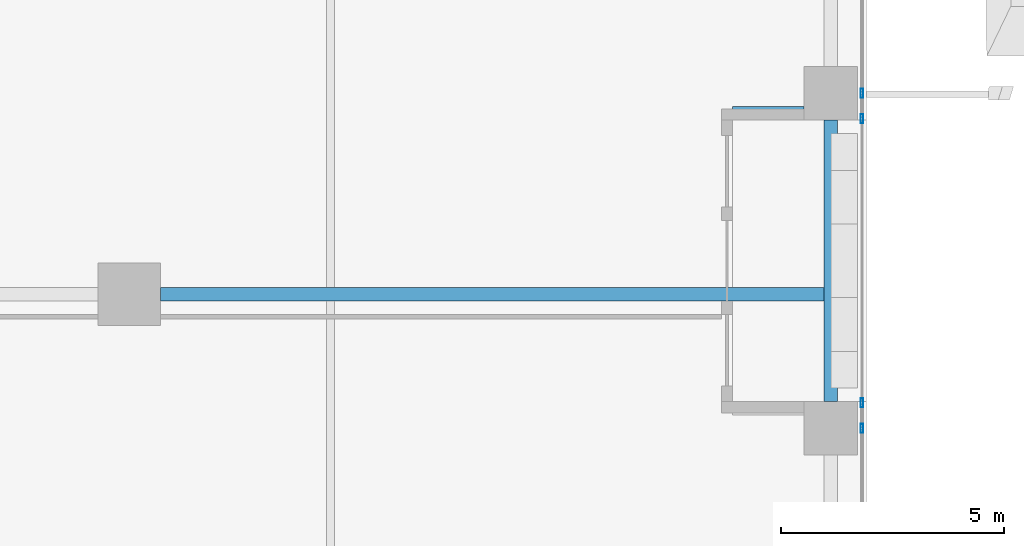
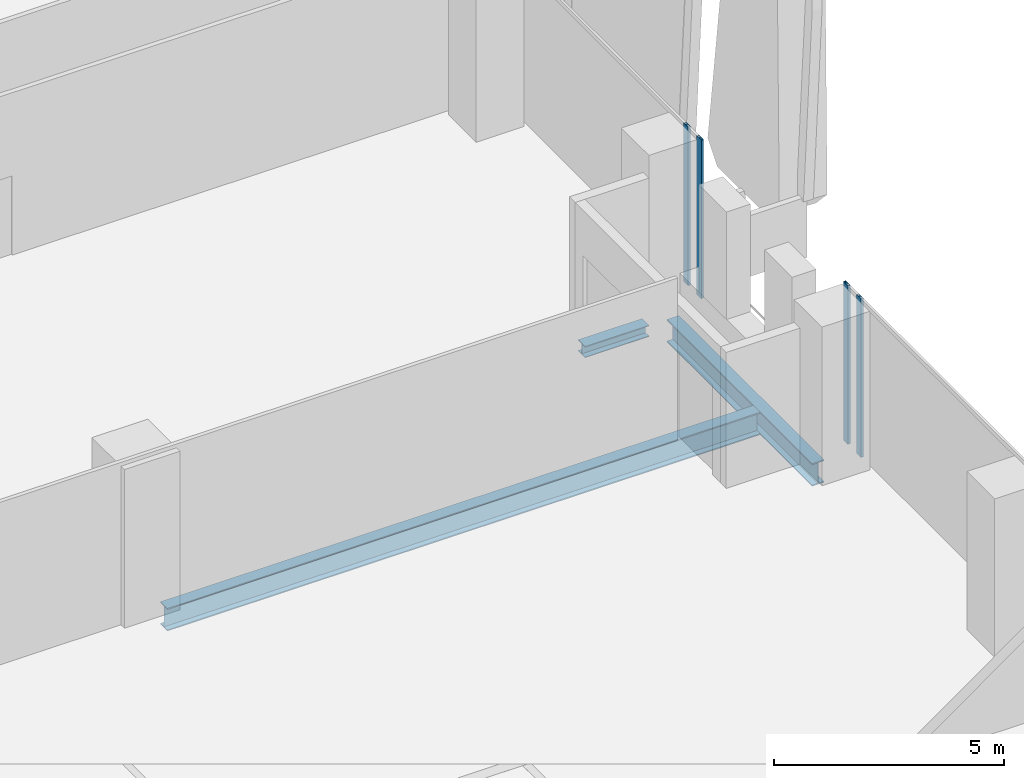
# One storey, part 10 of 34: 4 members, 3 beams, 2 elements without a shape of their own.
"""IFC4 building model written with IfcOpenShell, lengths in metres."""

from ifc_helpers import new_model, si_unit, direction, frame, origin, origin_2d, place, context, subcontext, project, spatial, hollow_rectangle, i_section, extrude, source, transform, mapped, material, material_profile, profile_set, type_object, element, aggregate, save


model = new_model("IFC4")

# Units and contexts
model_context = context("Model", 3, precision=1e-05, world=origin(), true_north=direction((0.0, 1.0)))
body_context = subcontext(model_context, "Body", "Model", "MODEL_VIEW")
ifc_project = project(units=[si_unit("LENGTHUNIT", "METRE"), si_unit("AREAUNIT", "SQUARE_METRE"), si_unit("VOLUMEUNIT", "CUBIC_METRE"), si_unit("PLANEANGLEUNIT", "RADIAN"), si_unit("MASSUNIT", "GRAM", prefix="KILO")], contexts=[model_context])

# Site, building, storey
site_placement = place(None, origin())
site = spatial("IfcSite", under=ifc_project, at=site_placement, CompositionType="ELEMENT")
building_placement = place(site_placement, origin())
building = spatial("IfcBuilding", under=site, at=building_placement, Name="Khomas Fold Tower", CompositionType="ELEMENT")
storey_placement = place(building_placement, frame((0.0, 0.0, 73.5)))
storey = spatial("IfcBuildingStorey", under=building, at=storey_placement, Name="L15", CompositionType="ELEMENT", Elevation=73.5)

# Beams
ifc_material_1 = material(Name="Steel S355", Category="steel")
ifc_material_profile_1 = material_profile(ifc_material_1, i_section(OverallWidth=0.300048828125, OverallDepth=0.60009765625, WebThickness=0.015380859375, FlangeThickness=0.030029296875, at=origin_2d()), Name="HE 600 B")
ifc_profile_set_1 = profile_set([ifc_material_profile_1], Name="Steel S355")
beam_type_1 = type_object("IfcBeamType", Name="HE 600 B spandrel SB1", PredefinedType="SPANDREL", material=ifc_profile_set_1)
shared_shape_1 = source(origin(), body_context, "Body", "SweptSolid", [
    extrude(i_section(OverallWidth=0.300048828125, OverallDepth=0.60009765625, WebThickness=0.015380859375, FlangeThickness=0.030029296875, at=origin_2d()), origin(), (0.0, 0.0, 1.0), 6.2998046875),
])
beam_1_placement = place(storey_placement, frame((53.199951171875, 20.10009765625, -0.60009765625), z_axis=(0.0, 1.0, 0.0), x_axis=(-1.0, 0.0, 0.0)))
element("IfcBeam", 1, at=beam_1_placement, inside=storey, type_object=beam_type_1, Name="SB1", PredefinedType="SPANDREL", context=body_context, shape_type="MappedRepresentation", body=[
    mapped(shared_shape_1, transform((0.0, 0.0, 0.0))),
])
ifc_material_2 = material(Name="Steel S355", Category="steel")
ifc_material_profile_2 = material_profile(ifc_material_2, i_section(OverallWidth=0.300048828125, OverallDepth=0.60009765625, WebThickness=0.015380859375, FlangeThickness=0.030029296875, at=origin_2d()), Name="HE 600 B")
ifc_profile_set_2 = profile_set([ifc_material_profile_2], Name="Steel S355")
beam_type_2 = type_object("IfcBeamType", Name="HE 600 B beam GB5", PredefinedType="BEAM", material=ifc_profile_set_2)
shared_shape_2 = source(origin(), body_context, "Body", "SweptSolid", [
    extrude(i_section(OverallWidth=0.300048828125, OverallDepth=0.60009765625, WebThickness=0.015380859375, FlangeThickness=0.030029296875, at=origin_2d()), origin(), (0.0, 0.0, 1.0), 14.85009765625),
])
beam_2_placement = place(storey_placement, frame((38.199951171875, 22.5, -0.60009765625), z_axis=(1.0, 0.0, 0.0), x_axis=(0.0, 1.0, 0.0)))
element("IfcBeam", 2, at=beam_2_placement, inside=storey, type_object=beam_type_2, Name="GB5", PredefinedType="BEAM", context=body_context, shape_type="MappedRepresentation", body=[
    mapped(shared_shape_2, transform((0.0, 0.0, 0.0))),
])
ifc_material_3 = material(Name="Steel S355", Category="steel")
ifc_material_profile_3 = material_profile(ifc_material_3, i_section(OverallWidth=0.300048828125, OverallDepth=0.300048828125, WebThickness=0.010986328125, FlangeThickness=0.01904296875, at=origin_2d()), Name="HE 300 B")
ifc_profile_set_3 = profile_set([ifc_material_profile_3], Name="Steel S355")
beam_type_3 = type_object("IfcBeamType", Name="HE 300 B beam BB1", PredefinedType="BEAM", material=ifc_profile_set_3)
shared_shape_3 = source(origin(), body_context, "Body", "SweptSolid", [
    extrude(i_section(OverallWidth=0.300048828125, OverallDepth=0.300048828125, WebThickness=0.010986328125, FlangeThickness=0.01904296875, at=origin_2d()), origin(), (0.0, 0.0, 1.0), 1.60009765625),
])
beam_3_placement = place(storey_placement, frame((51.0, 26.550048828125, -0.449951171875), z_axis=(1.0, 0.0, 0.0), x_axis=(0.0, 1.0, 0.0)))
element("IfcBeam", 3, at=beam_3_placement, inside=storey, type_object=beam_type_3, Name="BB1", PredefinedType="BEAM", context=body_context, shape_type="MappedRepresentation", body=[
    mapped(shared_shape_3, transform((0.0, 0.0, 0.0))),
])

# Curtain wall, members
ifc_material_4 = material(Name="Aluminium framed double glazing", Category="aluminium")
curtain_wall_type = type_object("IfcCurtainWallType", Name="SK-Unitised clear-glass wall, growing floors CW1", PredefinedType="NOTDEFINED", material=ifc_material_4)
curtain_wall_1_placement = place(storey_placement, origin())
curtain_wall_1 = element("IfcCurtainWall", 4, at=curtain_wall_1_placement, inside=storey, type_object=curtain_wall_type, Name="CW1 run L15 03-0", PredefinedType="NOTDEFINED")
ifc_material_5 = material(Name="Aluminium", Category="aluminium")
ifc_material_profile_4 = material_profile(ifc_material_5, hollow_rectangle(XDim=0.06005859375, YDim=0.199951171875, WallThickness=0.00390625, at=origin_2d()), Name="SK-Unitised clear-glass wall, growing floors mullion CW1-M")
ifc_profile_set_4 = profile_set([ifc_material_profile_4], Name="Aluminium")
member_type = type_object("IfcMemberType", Name="SK-Unitised clear-glass wall, growing floors mullion CW1-M", PredefinedType="MULLION", material=ifc_profile_set_4)
shared_shape_4 = source(origin(), body_context, "Body", "SweptSolid", [
    extrude(hollow_rectangle(XDim=0.06005859375, YDim=0.199951171875, WallThickness=0.00390625, at=origin_2d()), origin(), (0.0, 0.0, 1.0), 4.199951171875),
])
member_1_placement = place(storey_placement, frame((53.89990234375, 19.5, 0.0), z_axis=(0.0, 0.0, 1.0), x_axis=(-1.0, 0.0, 0.0)))
member_1 = element("IfcMember", 5, at=member_1_placement, type_object=member_type, Name="CW1 mullion 4", PredefinedType="MULLION", context=body_context, shape_type="MappedRepresentation", body=[
    mapped(shared_shape_4, transform((0.0, 0.0, 0.0))),
])
member_2_placement = place(storey_placement, frame((53.89990234375, 20.070068359375, 0.0), z_axis=(0.0, 0.0, 1.0), x_axis=(-1.0, 0.0, 0.0)))
member_2 = element("IfcMember", 6, at=member_2_placement, type_object=member_type, Name="CW1 mullion 5", PredefinedType="MULLION", context=body_context, shape_type="MappedRepresentation", body=[
    mapped(shared_shape_4, transform((0.0, 0.0, 0.0))),
])
aggregate(curtain_wall_1, [member_1, member_2])

curtain_wall_2_placement = place(storey_placement, origin())
curtain_wall_2 = element("IfcCurtainWall", 7, at=curtain_wall_2_placement, inside=storey, type_object=curtain_wall_type, Name="CW1 run L15 03-1", PredefinedType="NOTDEFINED")
member_3_placement = place(storey_placement, frame((53.89990234375, 26.429931640625, 0.0), z_axis=(0.0, 0.0, 1.0), x_axis=(-1.0, 0.0, 0.0)))
member_3 = element("IfcMember", 8, at=member_3_placement, type_object=member_type, Name="CW1 mullion 1", PredefinedType="MULLION", context=body_context, shape_type="MappedRepresentation", body=[
    mapped(shared_shape_4, transform((0.0, 0.0, 0.0))),
])
member_4_placement = place(storey_placement, frame((53.89990234375, 27.0, 0.0), z_axis=(0.0, 0.0, 1.0), x_axis=(-1.0, 0.0, 0.0)))
member_4 = element("IfcMember", 9, at=member_4_placement, type_object=member_type, Name="CW1 mullion 2", PredefinedType="MULLION", context=body_context, shape_type="MappedRepresentation", body=[
    mapped(shared_shape_4, transform((0.0, 0.0, 0.0))),
])
aggregate(curtain_wall_2, [member_3, member_4])

save(model, "model.ifc")
